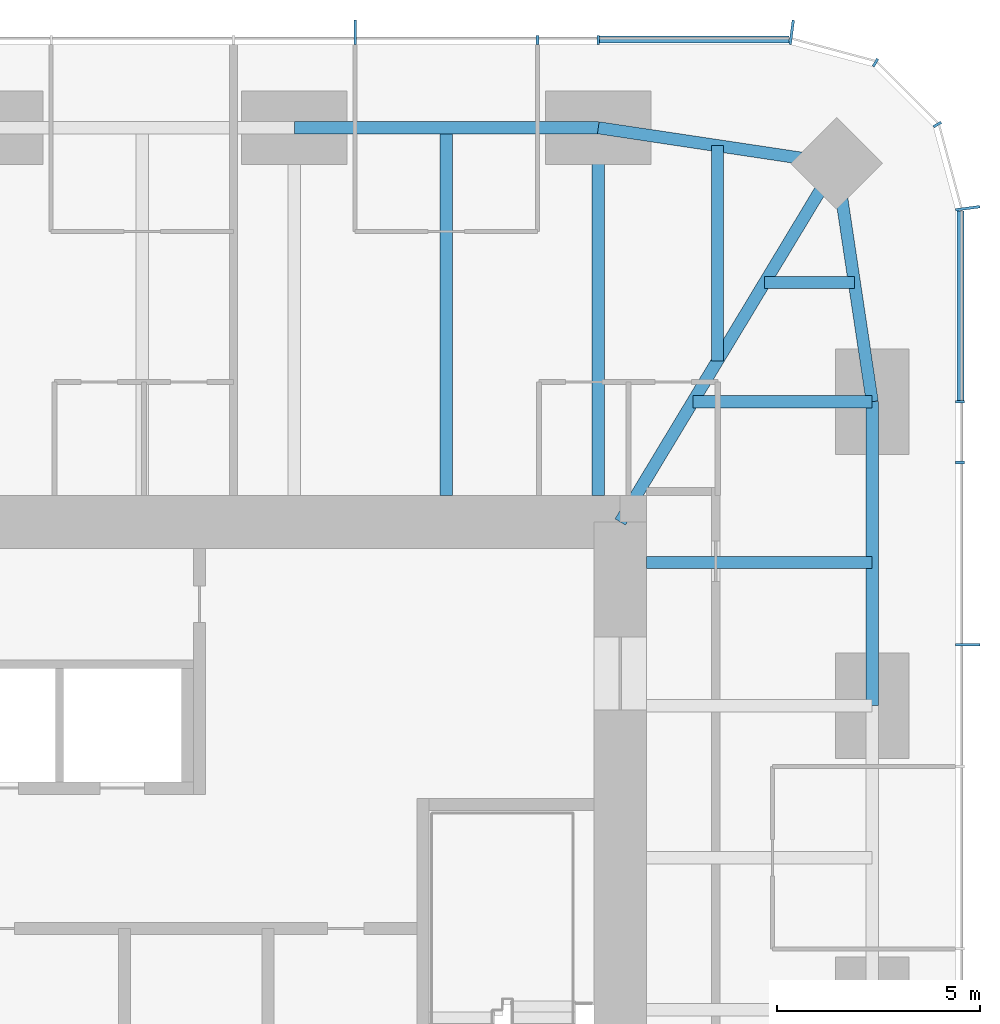
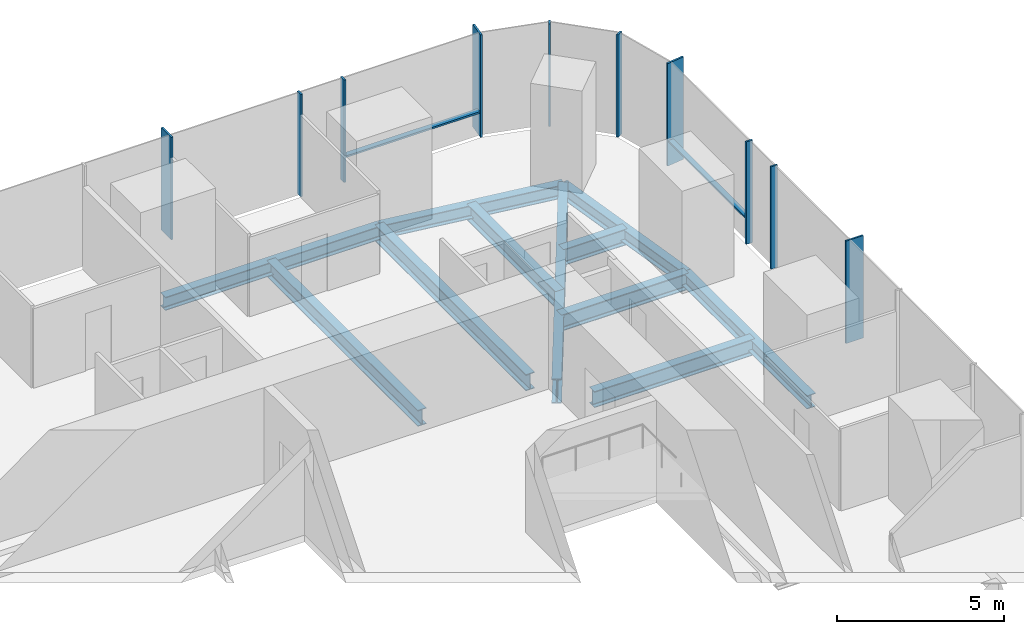
# One storey, part 6 of 12: 12 members, 11 beams, 3 elements without a shape of their own.
"""IFC4 building model written with IfcOpenShell, lengths in metres."""

import ifcopenshell
import ifcopenshell.guid

model = None  # the IFC model being written
_history = None  # IfcOwnerHistory: only IFC2X3 demands one
_inside = {}  # id of a spatial element -> (the spatial element, [elements in it])
_under = {}  # id of a project, library or spatial element -> (it, [spatial elements below it])
_declared = {}  # id of a project -> (the project, [libraries it declares])
_typed = {}  # id of a type object -> (the type object, [elements of that type])
_made_of = {}  # id of a material, layer set ... -> (it, [elements and type objects made of it])


def new_model(schema):
    """Start an empty IFC model of exactly this schema.

    Asked for "IFC4X3", IfcOpenShell would pick the latest addendum, in which some entities
    have other attributes; the version numbers below select the first issue.
    IFC2X3 requires an IfcOwnerHistory on every rooted entity: one is made here for all.
    """
    global model, _history
    if schema == "IFC4X3":
        model = ifcopenshell.file(schema_version=(4, 3, 0, 0))
    else:
        model = ifcopenshell.file(schema=schema)
    _inside.clear()
    _under.clear()
    _declared.clear()
    _typed.clear()
    _made_of.clear()
    _history = None
    if model.schema == "IFC2X3":
        org = make("IfcOrganization", Name="unknown")
        user = make(
            "IfcPersonAndOrganization",
            ThePerson=make("IfcPerson", FamilyName="unknown"),
            TheOrganization=org,
        )
        app = make(
            "IfcApplication",
            ApplicationDeveloper=org,
            Version="unknown",
            ApplicationFullName="unknown",
            ApplicationIdentifier="unknown",
        )
        _history = make(
            "IfcOwnerHistory",
            OwningUser=user,
            OwningApplication=app,
            ChangeAction="ADDED",
            CreationDate=0,
        )
    return model


def make(cls, **values):
    """One entity of the class cls with the attributes given. An attribute that is None is left unset."""
    return model.create_entity(
        cls, **{name: value for name, value in values.items() if value is not None}
    )


def rooted(cls, **values):
    """An entity with a GlobalId (a new one), such as an element, a storey or a relation."""
    return make(cls, GlobalId=ifcopenshell.guid.new(), OwnerHistory=_history, **values)


def si_unit(unit_type, name, prefix=None):
    """IfcSIUnit, for example si_unit("LENGTHUNIT", "METRE", prefix="MILLI")."""
    return make("IfcSIUnit", UnitType=unit_type, Prefix=prefix, Name=name)


def assignment(units):
    """IfcUnitAssignment: the units of a project."""
    return None if units is None else make("IfcUnitAssignment", Units=units)


def point(xyz):
    """IfcCartesianPoint."""
    return None if xyz is None else make("IfcCartesianPoint", Coordinates=xyz)


def direction(xyz):
    """IfcDirection."""
    return None if xyz is None else make("IfcDirection", DirectionRatios=xyz)


def frame(location, z_axis=None, x_axis=None):
    """IfcAxis2Placement3D, a coordinate frame: its origin and axes. An axis left out is left unset."""
    return make(
        "IfcAxis2Placement3D",
        Location=point(location),
        Axis=direction(z_axis),
        RefDirection=direction(x_axis),
    )


def frame_2d(location, x_axis=None):
    """IfcAxis2Placement2D, a coordinate frame in the plane: its origin and x axis."""
    return make(
        "IfcAxis2Placement2D", Location=point(location), RefDirection=direction(x_axis)
    )


def origin():
    """The frame at (0, 0, 0) with its axes left unset."""
    return frame((0.0, 0.0, 0.0))


def origin_2d():
    """The frame at (0, 0) in the plane with its x axis left unset."""
    return frame_2d((0.0, 0.0))


def place(relative_to, where):
    """IfcLocalPlacement: puts the frame where relative to a parent placement (None: the world)."""
    return make(
        "IfcLocalPlacement", PlacementRelTo=relative_to, RelativePlacement=where
    )


def context(
    kind, dimensions, precision=None, world=None, true_north=None, identifier=None
):
    """IfcGeometricRepresentationContext, for example the 3D "Model" context."""
    return make(
        "IfcGeometricRepresentationContext",
        ContextIdentifier=identifier,
        ContextType=kind,
        CoordinateSpaceDimension=dimensions,
        Precision=precision,
        WorldCoordinateSystem=world,
        TrueNorth=true_north,
    )


def subcontext(parent, identifier, kind, view, scale=None):
    """IfcGeometricRepresentationSubContext, for example "Body" below "Model"."""
    return make(
        "IfcGeometricRepresentationSubContext",
        ContextIdentifier=identifier,
        ContextType=kind,
        ParentContext=parent,
        TargetScale=scale,
        TargetView=view,
    )


def project(units=None, contexts=None):
    """IfcProject with its units and contexts."""
    return rooted(
        "IfcProject",
        Name="project",
        RepresentationContexts=contexts,
        UnitsInContext=assignment(units),
    )


def spatial(cls, under=None, at=None, **own):
    """A site, building, storey or space (cls), placed at a placement, below another one or the project."""
    s = rooted(cls, ObjectPlacement=at, **own)
    if under is not None:
        _under.setdefault(under.id(), (under, []))[1].append(s)
    return s


def profile(cls, at=None, kind="AREA", **sizes):
    """A parametric profile (cls). Its sizes go by their IFC names, for example OverallWidth=200.0."""
    return make(cls, ProfileType=kind, Position=at, **sizes)


def rectangle(**sizes):
    """IfcRectangleProfileDef."""
    return profile("IfcRectangleProfileDef", **sizes)


def i_section(**sizes):
    """IfcIShapeProfileDef."""
    return profile("IfcIShapeProfileDef", **sizes)


def extrude(swept, where, along, depth):
    """IfcExtrudedAreaSolid: the profile swept, set in the frame where, extruded along a direction by depth."""
    return make(
        "IfcExtrudedAreaSolid",
        SweptArea=swept,
        Position=where,
        ExtrudedDirection=direction(along),
        Depth=depth,
    )


def shape(context_of_items, identifier, shape_type, items):
    """IfcShapeRepresentation: the items that make up one representation, for example the "Body"."""
    return make(
        "IfcShapeRepresentation",
        ContextOfItems=context_of_items,
        RepresentationIdentifier=identifier,
        RepresentationType=shape_type,
        Items=items,
    )


def material(Name=None, Category=None):
    """IfcMaterial."""
    return make("IfcMaterial", Name=Name, Category=Category)


def material_profile(
    of_material, cross_section, Name=None, Category=None, Priority=None
):
    """IfcMaterialProfile: a cross section and its material."""
    return make(
        "IfcMaterialProfile",
        Name=Name,
        Material=of_material,
        Profile=cross_section,
        Priority=Priority,
        Category=Category,
    )


def profile_set(profiles, Name=None, composite=None):
    """IfcMaterialProfileSet."""
    return make(
        "IfcMaterialProfileSet",
        Name=Name,
        MaterialProfiles=profiles,
        CompositeProfile=composite,
    )


def made_of(thing, what):
    """Note that an element or type object is made of a material, layer set ...; save() writes the relation."""
    if what is not None:
        _made_of.setdefault(what.id(), (what, []))[1].append(thing)
    return thing


def type_object(cls, material=None, **own):
    """A type object (cls), such as IfcWallType, which elements share."""
    return made_of(rooted(cls, **own), material)


def element(
    cls,
    number,
    at=None,
    inside=None,
    cuts=None,
    type_object=None,
    material=None,
    context=None,
    identifier="Body",
    shape_type=None,
    held_by="IfcProductDefinitionShape",
    body=None,
    shapes=None,
    **own,
):
    """One element of the class cls, such as IfcWall. Its Tag is "e" and its number.

    at: its placement. inside: the storey or other place that contains it. cuts: it is an
    opening in that element (IfcRelVoidsElement). A single representation is given by context,
    identifier, shape_type and body (its items); several are given by shapes. held_by: the class
    of the entity that holds the representations. save() writes the other relations.
    """
    e = rooted(cls, Tag="e%d" % number, ObjectPlacement=at, **own)
    if body is not None:
        shapes = [shape(context, identifier, shape_type, body)]
    if shapes is not None:
        e.Representation = make(held_by, Representations=shapes)
    if inside is not None:
        _inside.setdefault(inside.id(), (inside, []))[1].append(e)
    if cuts is not None:
        rooted(
            "IfcRelVoidsElement", RelatingBuildingElement=cuts, RelatedOpeningElement=e
        )
    if type_object is not None:
        _typed.setdefault(type_object.id(), (type_object, []))[1].append(e)
    return made_of(e, material)


def aggregate(whole, parts):
    """IfcRelAggregates: a whole, such as a stair, and the parts it consists of."""
    return rooted("IfcRelAggregates", RelatingObject=whole, RelatedObjects=parts)


def save(model, path):
    """Write the relations noted so far, then the file.

    IfcRelAggregates (storeys below a building ...), IfcRelContainedInSpatialStructure (elements
    in a storey), IfcRelDefinesByType, IfcRelAssociatesMaterial and IfcRelDeclares: one each for
    every whole, place, type object, material and project.
    """
    for whole, parts in _under.values():
        aggregate(whole, parts)
    for where, things in _inside.values():
        rooted(
            "IfcRelContainedInSpatialStructure",
            RelatedElements=things,
            RelatingStructure=where,
        )
    for kind, things in _typed.values():
        rooted("IfcRelDefinesByType", RelatedObjects=things, RelatingType=kind)
    for what, things in _made_of.values():
        rooted("IfcRelAssociatesMaterial", RelatedObjects=things, RelatingMaterial=what)
    for by, libraries in _declared.values():
        rooted("IfcRelDeclares", RelatingContext=by, RelatedDefinitions=libraries)
    model.write(path)


model = new_model("IFC4")

# Units and contexts
model_context = context("Model", 3, precision=1e-05, world=origin(), true_north=direction((0.0, 1.0)))
body_context = subcontext(model_context, "Body", "Model", "MODEL_VIEW")
ifc_project = project(units=[si_unit("LENGTHUNIT", "METRE"), si_unit("AREAUNIT", "SQUARE_METRE"), si_unit("VOLUMEUNIT", "CUBIC_METRE"), si_unit("PLANEANGLEUNIT", "RADIAN"), si_unit("MASSUNIT", "GRAM", prefix="KILO")], contexts=[model_context])

# Site, building, storey
site_placement = place(None, origin())
site = spatial("IfcSite", under=ifc_project, at=site_placement, CompositionType="ELEMENT")
building_placement = place(site_placement, origin())
building = spatial("IfcBuilding", under=site, at=building_placement, Name="Khuree Lantern Residences", CompositionType="ELEMENT")
storey_placement = place(building_placement, frame((0.0, 0.0, 293.25)))
storey = spatial("IfcBuildingStorey", under=building, at=storey_placement, Name="L73", CompositionType="ELEMENT", Elevation=293.25)

# Beams
ifc_material_1 = material(Name="Steel S355", Category="steel")
ifc_material_profile_1 = material_profile(ifc_material_1, i_section(OverallWidth=0.300048828125, OverallDepth=0.590087890625, WebThickness=0.012939453125, FlangeThickness=0.02490234375, FilletRadius=0.027099609375, at=origin_2d()), Name="HE 600 A")
ifc_profile_set_1 = profile_set([ifc_material_profile_1], Name="Steel S355")
beam_type_1 = type_object("IfcBeamType", Name="B-41A SECONDARY BEAM HE 600 A", PredefinedType="BEAM", material=ifc_profile_set_1)
beam_1_placement = place(storey_placement, frame((11.219970703125, 21.699951171875, -0.544921875), z_axis=(0.0, -1.0, 0.0), x_axis=(1.0, 0.0, 0.0)))
element("IfcBeam", 1, at=beam_1_placement, inside=storey, type_object=beam_type_1, Name="Secondary beam N4", PredefinedType="BEAM", context=body_context, shape_type="SweptSolid", body=[
    extrude(i_section(OverallWidth=0.300048828125, OverallDepth=0.590087890625, WebThickness=0.012939453125, FlangeThickness=0.02490234375, FilletRadius=0.027099609375, at=origin_2d()), origin(), (0.0, 0.0, 1.0), 9.050048828125),
])
beam_2_placement = place(storey_placement, frame((17.890625, 21.2607421875, -0.544921875), z_axis=(0.0, -1.0, 0.0), x_axis=(1.0, 0.0, 0.0)))
element("IfcBeam", 2, at=beam_2_placement, inside=storey, type_object=beam_type_1, Name="Secondary beam N5", PredefinedType="BEAM", context=body_context, shape_type="SweptSolid", body=[
    extrude(i_section(OverallWidth=0.300048828125, OverallDepth=0.590087890625, WebThickness=0.012939453125, FlangeThickness=0.02490234375, FilletRadius=0.027099609375, at=origin_2d()), origin(), (0.0, 0.0, 1.0), 5.297607421875),
])
beam_3_placement = place(storey_placement, frame((21.2607421875, 17.890625, -0.544921875), z_axis=(-1.0, 0.0, 0.0), x_axis=(0.0, -1.0, 0.0)))
element("IfcBeam", 3, at=beam_3_placement, inside=storey, type_object=beam_type_1, Name="Secondary beam E1", PredefinedType="BEAM", context=body_context, shape_type="SweptSolid", body=[
    extrude(i_section(OverallWidth=0.300048828125, OverallDepth=0.590087890625, WebThickness=0.012939453125, FlangeThickness=0.02490234375, FilletRadius=0.027099609375, at=origin_2d()), origin(), (0.0, 0.0, 1.0), 2.207275390625),
])
beam_4_placement = place(storey_placement, frame((21.699951171875, 11.0, -0.544921875), z_axis=(-1.0, 0.0, 0.0), x_axis=(0.0, -1.0, 0.0)))
element("IfcBeam", 4, at=beam_4_placement, inside=storey, type_object=beam_type_1, Name="Secondary beam E2", PredefinedType="BEAM", context=body_context, shape_type="SweptSolid", body=[
    extrude(i_section(OverallWidth=0.300048828125, OverallDepth=0.590087890625, WebThickness=0.012939453125, FlangeThickness=0.02490234375, FilletRadius=0.027099609375, at=origin_2d()), origin(), (0.0, 0.0, 1.0), 5.550048828125),
])
ifc_material_profile_2 = material_profile(ifc_material_1, i_section(OverallWidth=0.300048828125, OverallDepth=0.489990234375, WebThickness=0.011962890625, FlangeThickness=0.02294921875, FilletRadius=0.027099609375, at=origin_2d()), Name="HE 500 A")
ifc_profile_set_2 = profile_set([ifc_material_profile_2], Name="Steel S355")
beam_type_2 = type_object("IfcBeamType", Name="E-41 SPANDREL BEAM HE 500 A", PredefinedType="SPANDREL", material=ifc_profile_set_2)
beam_5_placement = place(storey_placement, frame((7.47998046875, 21.699951171875, -0.4951171875), z_axis=(1.0, 0.0, 0.0), x_axis=(0.0, 1.0, 0.0)))
element("IfcBeam", 5, at=beam_5_placement, inside=storey, type_object=beam_type_2, Name="Spandrel beam N4", PredefinedType="SPANDREL", context=body_context, shape_type="SweptSolid", body=[
    extrude(i_section(OverallWidth=0.300048828125, OverallDepth=0.489990234375, WebThickness=0.011962890625, FlangeThickness=0.02294921875, FilletRadius=0.027099609375, at=origin_2d()), origin(), (0.0, 0.0, 1.0), 7.47998046875),
])
for number, where, z_axis, x_axis, name in (
    (6, (14.9599609375, 21.699951171875, -0.4951171875), (0.988949643299, -0.148251822985, 0.0), (0.148251822985, 0.988949643299, 0.0), "Spandrel beam N5"),
    (7, (20.8212890625, 20.8212890625, -0.4951171875), (0.148251822985, -0.988949643299, 0.0), (0.988949643299, 0.148251822985, 0.0), "Spandrel beam E1"),
):
    element("IfcBeam", number, at=place(storey_placement, frame(where, z_axis=z_axis, x_axis=x_axis)), inside=storey, type_object=beam_type_2, Name=name, PredefinedType="SPANDREL", context=body_context, shape_type="SweptSolid", body=[
        extrude(i_section(OverallWidth=0.300048828125, OverallDepth=0.489990234375, WebThickness=0.011962890625, FlangeThickness=0.02294921875, FilletRadius=0.027099609375, at=origin_2d()), origin(), (0.0, 0.0, 1.0), 5.9267578125),
    ])
beam_6_placement = place(storey_placement, frame((21.699951171875, 14.9599609375, -0.4951171875), z_axis=(0.0, -1.0, 0.0), x_axis=(1.0, 0.0, 0.0)))
element("IfcBeam", 8, at=beam_6_placement, inside=storey, type_object=beam_type_2, Name="Spandrel beam E2", PredefinedType="SPANDREL", context=body_context, shape_type="SweptSolid", body=[
    extrude(i_section(OverallWidth=0.300048828125, OverallDepth=0.489990234375, WebThickness=0.011962890625, FlangeThickness=0.02294921875, FilletRadius=0.027099609375, at=origin_2d()), origin(), (0.0, 0.0, 1.0), 7.47998046875),
])

# Curtain wall, member
ifc_material_2 = material(Name="Bronze anodised aluminium", Category="aluminium")
curtain_wall_type_1 = type_object("IfcCurtainWallType", Name="CW-T1 TOWER FACE CURTAIN WALL", PredefinedType="USERDEFINED", material=ifc_material_2)
curtain_wall_1_placement = place(storey_placement, origin())
curtain_wall_1 = element("IfcCurtainWall", 9, at=curtain_wall_1_placement, inside=storey, type_object=curtain_wall_type_1, Name="L73 EAST FACE CURTAIN WALL", ObjectType="Stick-built curtain wall", PredefinedType="USERDEFINED")
ifc_material_profile_3 = material_profile(ifc_material_2, rectangle(XDim=0.06494140625, YDim=0.60009765625, at=origin_2d()), Name="F1 65X600")
ifc_profile_set_3 = profile_set([ifc_material_profile_3], Name="Bronze anodised aluminium")
member_type_1 = type_object("IfcMemberType", Name="F1 BRONZE FIN MULLION TOWER 65X600", PredefinedType="MULLION", material=ifc_profile_set_3)
member_1_placement = place(storey_placement, frame((24.050048828125, 8.97607421875, 0.0), z_axis=(0.0, 0.0, 1.0), x_axis=(0.0, 1.0, 0.0)))
member_1 = element("IfcMember", 10, at=member_1_placement, type_object=member_type_1, Name="L73 EAST FACE FIN MULLION 12", PredefinedType="MULLION", context=body_context, shape_type="SweptSolid", body=[
    extrude(rectangle(XDim=0.06494140625, YDim=0.60009765625, at=origin_2d()), origin(), (0.0, 0.0, 1.0), 3.75),
])

curtain_wall_type_2 = type_object("IfcCurtainWallType", Name="CW-T2 TOWER CORNER CURTAIN WALL", PredefinedType="USERDEFINED", material=ifc_material_2)
curtain_wall_2_placement = place(storey_placement, origin())
curtain_wall_2 = element("IfcCurtainWall", 11, at=curtain_wall_2_placement, inside=storey, type_object=curtain_wall_type_2, Name="L73 NORTH-EAST CORNER CURTAIN WALL", ObjectType="Faceted corner curtain wall", PredefinedType="USERDEFINED")
member_2_placement = place(storey_placement, frame((24.050048828125, 19.7197265625, 0.0), z_axis=(0.0, 0.0, 1.0), x_axis=(-0.130526125236, 0.991444870192, 0.0)))
member_2 = element("IfcMember", 12, at=member_2_placement, type_object=member_type_1, Name="L73 NORTH-EAST CORNER FIN MULLION 15", PredefinedType="MULLION", context=body_context, shape_type="SweptSolid", body=[
    extrude(rectangle(XDim=0.06494140625, YDim=0.60009765625, at=origin_2d()), origin(), (0.0, 0.0, 1.0), 3.75),
])

# Curtain wall, members
curtain_wall_3_placement = place(storey_placement, origin())
curtain_wall_3 = element("IfcCurtainWall", 13, at=curtain_wall_3_placement, inside=storey, type_object=curtain_wall_type_1, Name="L73 NORTH FACE CURTAIN WALL", ObjectType="Stick-built curtain wall", PredefinedType="USERDEFINED")
member_3_placement = place(storey_placement, frame((19.7197265625, 24.050048828125, 0.0), z_axis=(0.0, 0.0, 1.0), x_axis=(-0.991444870192, 0.130526125236, 0.0)))
member_3 = element("IfcMember", 14, at=member_3_placement, type_object=member_type_1, Name="L73 NORTH FACE FIN MULLION 18", PredefinedType="MULLION", context=body_context, shape_type="SweptSolid", body=[
    extrude(rectangle(XDim=0.06494140625, YDim=0.60009765625, at=origin_2d()), origin(), (0.0, 0.0, 1.0), 3.75),
])
member_4_placement = place(storey_placement, frame((8.97607421875, 24.050048828125, 0.0), z_axis=(0.0, 0.0, 1.0), x_axis=(-1.0, 0.0, 0.0)))
member_4 = element("IfcMember", 15, at=member_4_placement, type_object=member_type_1, Name="L73 NORTH FACE FIN MULLION 21", PredefinedType="MULLION", context=body_context, shape_type="SweptSolid", body=[
    extrude(rectangle(XDim=0.06494140625, YDim=0.60009765625, at=origin_2d()), origin(), (0.0, 0.0, 1.0), 3.75),
])

# Beams
ifc_material_profile_4 = material_profile(ifc_material_1, i_section(OverallWidth=0.300048828125, OverallDepth=0.60009765625, WebThickness=0.015380859375, FlangeThickness=0.030029296875, FilletRadius=0.027099609375, at=origin_2d()), Name="HE 600 B")
ifc_profile_set_4 = profile_set([ifc_material_profile_4], Name="Steel S355")
beam_type_3 = type_object("IfcBeamType", Name="G-41 GIRDER HE 600 B", PredefinedType="BEAM", material=ifc_profile_set_4)
beam_7_placement = place(storey_placement, frame((14.9599609375, 21.699951171875, -0.550048828125), z_axis=(0.0, -1.0, 0.0), x_axis=(1.0, 0.0, 0.0)))
element("IfcBeam", 16, at=beam_7_placement, inside=storey, type_object=beam_type_3, Name="Girder N5", PredefinedType="BEAM", context=body_context, shape_type="SweptSolid", body=[
    extrude(i_section(OverallWidth=0.300048828125, OverallDepth=0.60009765625, WebThickness=0.015380859375, FlangeThickness=0.030029296875, FilletRadius=0.027099609375, at=origin_2d()), origin(), (0.0, 0.0, 1.0), 9.050048828125),
])
beam_8_placement = place(storey_placement, frame((21.699951171875, 14.9599609375, -0.550048828125), z_axis=(-1.0, 0.0, 0.0), x_axis=(0.0, -1.0, 0.0)))
element("IfcBeam", 17, at=beam_8_placement, inside=storey, type_object=beam_type_3, Name="Girder E1", PredefinedType="BEAM", context=body_context, shape_type="SweptSolid", body=[
    extrude(i_section(OverallWidth=0.300048828125, OverallDepth=0.60009765625, WebThickness=0.015380859375, FlangeThickness=0.030029296875, FilletRadius=0.027099609375, at=origin_2d()), origin(), (0.0, 0.0, 1.0), 4.414306640625),
])
ifc_material_profile_5 = material_profile(ifc_material_1, i_section(OverallWidth=0.300048828125, OverallDepth=0.89990234375, WebThickness=0.0185546875, FlangeThickness=0.034912109375, FilletRadius=0.030029296875, at=origin_2d()), Name="HE 900 B")
ifc_profile_set_5 = profile_set([ifc_material_profile_5], Name="Steel S355")
beam_type_4 = type_object("IfcBeamType", Name="GD-41 CORNER GIRDER HE 900 B", PredefinedType="BEAM", material=ifc_profile_set_5)
beam_9_placement = place(storey_placement, frame((20.8212890625, 20.8212890625, -0.699951171875), z_axis=(-0.516529577604, -0.856269347495, 0.0), x_axis=(0.856269347495, -0.516529577604, 0.0)))
element("IfcBeam", 18, at=beam_9_placement, inside=storey, type_object=beam_type_4, Name="Corner girder NE", PredefinedType="BEAM", context=body_context, shape_type="SweptSolid", body=[
    extrude(i_section(OverallWidth=0.300048828125, OverallDepth=0.89990234375, WebThickness=0.0185546875, FlangeThickness=0.034912109375, FilletRadius=0.030029296875, at=origin_2d()), origin(), (0.0, 0.0, 1.0), 10.302001953125),
])

# Member
ifc_material_profile_6 = material_profile(ifc_material_2, rectangle(XDim=0.06494140625, YDim=0.219970703125, at=origin_2d()), Name="M1 65X220")
ifc_profile_set_6 = profile_set([ifc_material_profile_6], Name="Bronze anodised aluminium")
member_type_2 = type_object("IfcMemberType", Name="M1 BRONZE MULLION TOWER 65X220", PredefinedType="MULLION", material=ifc_profile_set_6)
member_5_placement = place(storey_placement, frame((23.860107421875, 13.464111328125, 0.0), z_axis=(0.0, 0.0, 1.0), x_axis=(0.0, 1.0, 0.0)))
member_5 = element("IfcMember", 19, at=member_5_placement, type_object=member_type_2, Name="L73 EAST FACE MULLION 13", PredefinedType="MULLION", context=body_context, shape_type="SweptSolid", body=[
    extrude(rectangle(XDim=0.06494140625, YDim=0.219970703125, at=origin_2d()), origin(), (0.0, 0.0, 1.0), 3.75),
])

member_6_placement = place(storey_placement, frame((23.860107421875, 14.9599609375, 0.0), z_axis=(0.0, 0.0, 1.0), x_axis=(0.0, 1.0, 0.0)))
member_6 = element("IfcMember", 20, at=member_6_placement, type_object=member_type_2, Name="L73 EAST FACE MULLION 14", PredefinedType="MULLION", context=body_context, shape_type="SweptSolid", body=[
    extrude(rectangle(XDim=0.06494140625, YDim=0.219970703125, at=origin_2d()), origin(), (0.0, 0.0, 1.0), 3.75),
])

member_7_placement = place(storey_placement, frame((23.302734375, 21.780029296875, 0.0), z_axis=(0.0, 0.0, 1.0), x_axis=(-0.49999994149, 0.866025437565, 0.0)))
member_7 = element("IfcMember", 21, at=member_7_placement, type_object=member_type_2, Name="L73 NORTH-EAST CORNER MULLION 16", PredefinedType="MULLION", context=body_context, shape_type="SweptSolid", body=[
    extrude(rectangle(XDim=0.06494140625, YDim=0.219970703125, at=origin_2d()), origin(), (0.0, 0.0, 1.0), 3.75),
])

member_8_placement = place(storey_placement, frame((21.780029296875, 23.302734375, 0.0), z_axis=(0.0, 0.0, 1.0), x_axis=(-0.866025437565, 0.49999994149, 0.0)))
member_8 = element("IfcMember", 22, at=member_8_placement, type_object=member_type_2, Name="L73 NORTH-EAST CORNER MULLION 17", PredefinedType="MULLION", context=body_context, shape_type="SweptSolid", body=[
    extrude(rectangle(XDim=0.06494140625, YDim=0.219970703125, at=origin_2d()), origin(), (0.0, 0.0, 1.0), 3.75),
])

aggregate(curtain_wall_2, [member_2, member_7, member_8])

member_9_placement = place(storey_placement, frame((14.9599609375, 23.860107421875, 0.0), z_axis=(0.0, 0.0, 1.0), x_axis=(-1.0, 0.0, 0.0)))
member_9 = element("IfcMember", 23, at=member_9_placement, type_object=member_type_2, Name="L73 NORTH FACE MULLION 19", PredefinedType="MULLION", context=body_context, shape_type="SweptSolid", body=[
    extrude(rectangle(XDim=0.06494140625, YDim=0.219970703125, at=origin_2d()), origin(), (0.0, 0.0, 1.0), 3.75),
])

member_10_placement = place(storey_placement, frame((13.464111328125, 23.860107421875, 0.0), z_axis=(0.0, 0.0, 1.0), x_axis=(-1.0, 0.0, 0.0)))
member_10 = element("IfcMember", 24, at=member_10_placement, type_object=member_type_2, Name="L73 NORTH FACE MULLION 20", PredefinedType="MULLION", context=body_context, shape_type="SweptSolid", body=[
    extrude(rectangle(XDim=0.06494140625, YDim=0.219970703125, at=origin_2d()), origin(), (0.0, 0.0, 1.0), 3.75),
])

ifc_material_profile_7 = material_profile(ifc_material_2, rectangle(XDim=0.179931640625, YDim=0.06494140625, at=origin_2d()), Name="T1 180X65")
ifc_profile_set_7 = profile_set([ifc_material_profile_7], Name="Bronze anodised aluminium")
member_type_3 = type_object("IfcMemberType", Name="TRANSOM T1 TOWER 180X65", PredefinedType="USERDEFINED", material=ifc_profile_set_7)
member_11_placement = place(storey_placement, frame((23.8701171875, 14.992431640625, 0.89990234375), z_axis=(0.0, 1.0, 0.0), x_axis=(-1.0, 0.0, 0.0)))
member_11 = element("IfcMember", 25, at=member_11_placement, type_object=member_type_3, Name="L73 EAST FACE TRANSOM 14.1", ObjectType="Transom", PredefinedType="USERDEFINED", context=body_context, shape_type="SweptSolid", body=[
    extrude(rectangle(XDim=0.179931640625, YDim=0.06494140625, at=origin_2d()), origin(), (0.0, 0.0, 1.0), 4.658935546875),
])

aggregate(curtain_wall_1, [member_1, member_5, member_6, member_11])

member_12_placement = place(storey_placement, frame((19.6513671875, 23.8701171875, 0.89990234375), z_axis=(-1.0, 0.0, 0.0), x_axis=(0.0, -1.0, 0.0)))
member_12 = element("IfcMember", 26, at=member_12_placement, type_object=member_type_3, Name="L73 NORTH FACE TRANSOM 18.1", ObjectType="Transom", PredefinedType="USERDEFINED", context=body_context, shape_type="SweptSolid", body=[
    extrude(rectangle(XDim=0.179931640625, YDim=0.06494140625, at=origin_2d()), origin(), (0.0, 0.0, 1.0), 4.658935546875),
])

aggregate(curtain_wall_3, [member_3, member_9, member_10, member_4, member_12])

save(model, "model.ifc")
